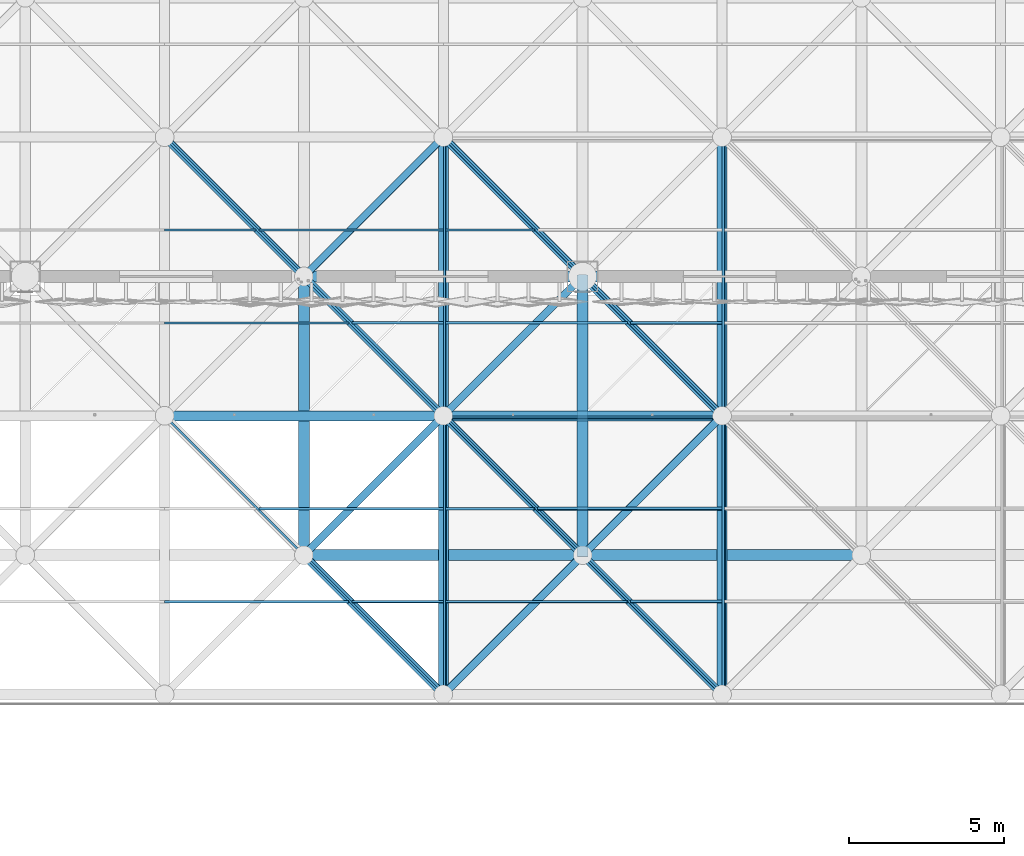
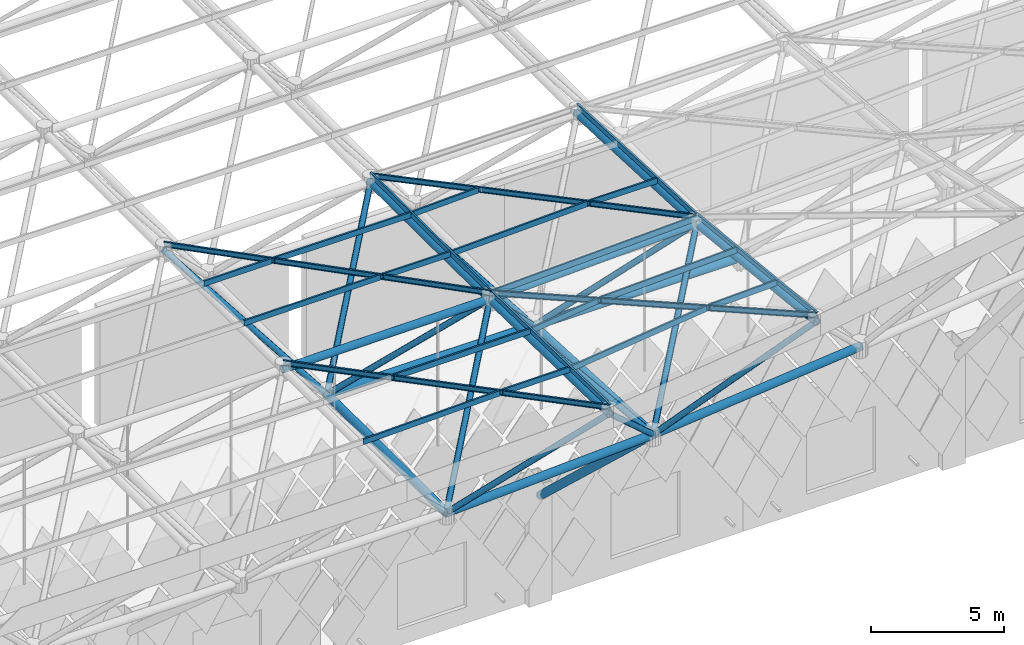
# One storey, part 86 of 437: 48 members.
"""IFC4 building model written with IfcOpenShell, lengths in metres."""

from ifc_helpers import new_model, si_unit, direction, frame, origin, origin_2d, place, context, subcontext, project, spatial, polyline, hollow_circle, outline, extrude, material, material_profile, profile_set, type_object, element, save


model = new_model("IFC4")

# Units and contexts
model_context = context("Model", 3, precision=1e-05, world=origin(), true_north=direction((0.0, 1.0)))
body_context = subcontext(model_context, "Body", "Model", "MODEL_VIEW")
ifc_project = project(units=[si_unit("LENGTHUNIT", "METRE"), si_unit("AREAUNIT", "SQUARE_METRE"), si_unit("VOLUMEUNIT", "CUBIC_METRE"), si_unit("PLANEANGLEUNIT", "RADIAN"), si_unit("MASSUNIT", "GRAM", prefix="KILO")], contexts=[model_context])

# Site, building, storey
site_placement = place(None, origin())
site = spatial("IfcSite", under=ifc_project, at=site_placement, CompositionType="ELEMENT")
building_placement = place(site_placement, origin())
building = spatial("IfcBuilding", under=site, at=building_placement, Name="Opaline Strait Convention Centre", CompositionType="ELEMENT")
storey_placement = place(building_placement, frame((0.0, 0.0, 11.5)))
storey = spatial("IfcBuildingStorey", under=building, at=storey_placement, Name="L02", CompositionType="ELEMENT", Elevation=11.5)

# Members
ifc_material = material(Name="Steel Q355B", Category="steel")
ifc_material_profile_1 = material_profile(ifc_material, hollow_circle(Radius=0.175537109375, WallThickness=0.01611328125, at=origin_2d()), Name="CHS 351x16")
ifc_profile_set_1 = profile_set([ifc_material_profile_1], Name="Steel Q355B")
member_type_1 = type_object("IfcMemberType", Name="Raking prop CHS 351x16", PredefinedType="BRACE", material=ifc_profile_set_1)
member_1_placement = place(storey_placement, frame((225.0, 53.48388671875, 5.014892578125), z_axis=(0.0, -0.72992125999, 0.683531238653), x_axis=(1.0, 0.0, 0.0)))
element("IfcMember", 1, at=member_1_placement, inside=storey, type_object=member_type_1, Name="Raking prop 225/54 S", PredefinedType="BRACE", context=body_context, shape_type="SweptSolid", body=[
    extrude(hollow_circle(Radius=0.175537109375, WallThickness=0.01611328125, at=origin_2d()), origin(), (0.0, 0.0, 1.0), 11.6728515625),
])
ifc_material_profile_2 = material_profile(ifc_material, outline(polyline([(-0.03759765625, -0.125), (0.03759765625, -0.125), (0.03759765625, -0.10498046875), (0.034912109375, -0.10498046875), (0.034912109375, -0.12255859375), (-0.034912109375, -0.12255859375), (-0.034912109375, 0.12255859375), (0.034912109375, 0.12255859375), (0.034912109375, 0.10498046875), (0.03759765625, 0.10498046875), (0.03759765625, 0.125), (-0.03759765625, 0.125), (-0.03759765625, -0.125)])), Name="C 250x75x20x2.5")
ifc_profile_set_2 = profile_set([ifc_material_profile_2], Name="Steel Q355B")
member_type_2 = type_object("IfcMemberType", Name="Roof purlin C 250x75x20x2.5", PredefinedType="PURLIN", material=ifc_profile_set_2)
member_2_placement = place(storey_placement, frame((220.5, 40.5, 18.5087890625), z_axis=(-0.706967474347, 0.706967474347, -0.01984894032), x_axis=(-0.707208676567, -0.706940201705, 0.009562374229)))
element("IfcMember", 2, at=member_2_placement, inside=storey, type_object=member_type_2, Name="EXB-RF-F-14-0", PredefinedType="PURLIN", context=body_context, shape_type="SweptSolid", body=[
    extrude(outline(polyline([(-0.03759765625, -0.125), (0.03759765625, -0.125), (0.03759765625, -0.10498046875), (0.034912109375, -0.10498046875), (0.034912109375, -0.12255859375), (-0.034912109375, -0.12255859375), (-0.034912109375, 0.12255859375), (0.034912109375, 0.12255859375), (0.034912109375, 0.10498046875), (0.03759765625, 0.10498046875), (0.03759765625, 0.125), (-0.03759765625, 0.125), (-0.03759765625, -0.125)])), origin(), (0.0, 0.0, 1.0), 12.73046875),
])
member_3_placement = place(storey_placement, frame((217.550048828125, 43.5, 18.42578125), z_axis=(0.999973480305, 0.0, 0.007282766388), x_axis=(0.000151476691, 0.999783670452, -0.020798782467)))
element("IfcMember", 3, at=member_3_placement, inside=storey, type_object=member_type_2, Name="EXB-RF-P-14-0-0a", PredefinedType="PURLIN", context=body_context, shape_type="SweptSolid", body=[
    extrude(outline(polyline([(-0.03759765625, -0.125), (0.03759765625, -0.125), (0.03759765625, -0.10498046875), (0.034912109375, -0.10498046875), (0.034912109375, -0.12255859375), (-0.034912109375, -0.12255859375), (-0.034912109375, 0.12255859375), (0.034912109375, 0.12255859375), (0.034912109375, 0.10498046875), (0.03759765625, 0.10498046875), (0.03759765625, 0.125), (-0.03759765625, 0.125), (-0.03759765625, -0.125)])), origin(), (0.0, 0.0, 1.0), 2.949951171875),
])
member_4_placement = place(storey_placement, frame((214.550048828125, 46.5, 18.341552734375), z_axis=(0.999973328593, 0.0, 0.007303567867), x_axis=(0.000151909348, 0.999783670452, -0.020798779311)))
element("IfcMember", 4, at=member_4_placement, inside=storey, type_object=member_type_2, Name="EXB-RF-P-14-0-1a", PredefinedType="PURLIN", context=body_context, shape_type="SweptSolid", body=[
    extrude(outline(polyline([(-0.03759765625, -0.125), (0.03759765625, -0.125), (0.03759765625, -0.10498046875), (0.034912109375, -0.10498046875), (0.034912109375, -0.12255859375), (-0.034912109375, -0.12255859375), (-0.034912109375, 0.12255859375), (0.034912109375, 0.12255859375), (0.034912109375, 0.10498046875), (0.03759765625, 0.10498046875), (0.03759765625, 0.125), (-0.03759765625, 0.125), (-0.03759765625, -0.125)])), origin(), (0.0, 0.0, 1.0), 5.9501953125),
])
member_5_placement = place(storey_placement, frame((211.5, 43.5, 18.257080078125), z_axis=(0.999606378304, 0.0, 0.028055096744), x_axis=(0.0, 1.0, 0.0)))
element("IfcMember", 5, at=member_5_placement, inside=storey, type_object=member_type_2, Name="EXB-RF-P-14-0-0b", PredefinedType="PURLIN", context=body_context, shape_type="SweptSolid", body=[
    extrude(outline(polyline([(-0.03759765625, -0.125), (0.03759765625, -0.125), (0.03759765625, -0.10498046875), (0.034912109375, -0.10498046875), (0.034912109375, -0.12255859375), (-0.034912109375, -0.12255859375), (-0.034912109375, 0.12255859375), (0.034912109375, 0.12255859375), (0.034912109375, 0.10498046875), (0.03759765625, 0.10498046875), (0.03759765625, 0.125), (-0.03759765625, 0.125), (-0.03759765625, -0.125)])), origin(), (0.0, 0.0, 1.0), 5.952392578125),
])
member_6_placement = place(storey_placement, frame((229.5, 40.5, 19.59423828125), z_axis=(-0.703588662414, 0.703588662414, -0.099629253955), x_axis=(-0.709635656361, -0.703016428471, 0.046745443856)))
element("IfcMember", 6, at=member_6_placement, inside=storey, type_object=member_type_2, Name="EXB-RF-F-15-0", PredefinedType="PURLIN", context=body_context, shape_type="SweptSolid", body=[
    extrude(outline(polyline([(-0.03759765625, -0.125), (0.03759765625, -0.125), (0.03759765625, -0.10498046875), (0.034912109375, -0.10498046875), (0.034912109375, -0.12255859375), (-0.034912109375, -0.12255859375), (-0.034912109375, 0.12255859375), (0.034912109375, 0.12255859375), (0.034912109375, 0.10498046875), (0.03759765625, 0.10498046875), (0.03759765625, 0.125), (-0.03759765625, 0.125), (-0.03759765625, -0.125)])), origin(), (0.0, 0.0, 1.0), 12.79150390625),
])
member_7_placement = place(storey_placement, frame((220.449951171875, 49.447509765625, 18.326416015625), z_axis=(0.999302401392, 0.0, 0.037345824037), x_axis=(0.003868565413, 0.994620331005, -0.103515367712)))
element("IfcMember", 7, at=member_7_placement, inside=storey, type_object=member_type_2, Name="EXB-RF-E-15-0a", PredefinedType="PURLIN", context=body_context, shape_type="SweptSolid", body=[
    extrude(outline(polyline([(-0.03759765625, -0.125), (0.03759765625, -0.125), (0.03759765625, -0.10498046875), (0.034912109375, -0.10498046875), (0.034912109375, -0.12255859375), (-0.034912109375, -0.12255859375), (-0.034912109375, 0.12255859375), (0.034912109375, 0.12255859375), (0.034912109375, 0.10498046875), (0.03759765625, 0.10498046875), (0.03759765625, 0.125), (-0.03759765625, 0.125), (-0.03759765625, -0.125)])), origin(), (0.0, 0.0, 1.0), 9.1064453125),
])
member_8_placement = place(storey_placement, frame((226.550048828125, 43.5, 19.17431640625), z_axis=(0.999304142932, 0.0, 0.037299194609), x_axis=(0.003866389887, 0.994612915883, -0.10358667186)))
element("IfcMember", 8, at=member_8_placement, inside=storey, type_object=member_type_2, Name="EXB-RF-P-15-0-0a", PredefinedType="PURLIN", context=body_context, shape_type="SweptSolid", body=[
    extrude(outline(polyline([(-0.03759765625, -0.125), (0.03759765625, -0.125), (0.03759765625, -0.10498046875), (0.034912109375, -0.10498046875), (0.034912109375, -0.12255859375), (-0.034912109375, -0.12255859375), (-0.034912109375, 0.12255859375), (0.034912109375, 0.12255859375), (0.034912109375, 0.10498046875), (0.03759765625, 0.10498046875), (0.03759765625, 0.125), (-0.03759765625, 0.125), (-0.03759765625, -0.125)])), origin(), (0.0, 0.0, 1.0), 2.951904296875),
])
member_9_placement = place(storey_placement, frame((223.550048828125, 46.5, 18.74951171875), z_axis=(0.999302080681, 0.0, 0.037354404641), x_axis=(0.003872112893, 0.994612915883, -0.10358645809)))
element("IfcMember", 9, at=member_9_placement, inside=storey, type_object=member_type_2, Name="EXB-RF-P-15-0-1a", PredefinedType="PURLIN", context=body_context, shape_type="SweptSolid", body=[
    extrude(outline(polyline([(-0.03759765625, -0.125), (0.03759765625, -0.125), (0.03759765625, -0.10498046875), (0.034912109375, -0.10498046875), (0.034912109375, -0.12255859375), (-0.034912109375, -0.12255859375), (-0.034912109375, 0.12255859375), (0.034912109375, 0.12255859375), (0.034912109375, 0.10498046875), (0.03759765625, 0.10498046875), (0.03759765625, 0.125), (-0.03759765625, 0.125), (-0.03759765625, -0.125)])), origin(), (0.0, 0.0, 1.0), 5.9541015625),
])
member_10_placement = place(storey_placement, frame((220.554443359375, 49.550048828125, 18.328857421875), z_axis=(0.0, -0.999783359176, 0.020814291107), x_axis=(0.992786458004, 0.002495550072, 0.119870017244)))
element("IfcMember", 10, at=member_10_placement, inside=storey, type_object=member_type_2, Name="EXB-RF-E-15-0b", PredefinedType="PURLIN", context=body_context, shape_type="SweptSolid", body=[
    extrude(outline(polyline([(-0.03759765625, -0.125), (0.03759765625, -0.125), (0.03759765625, -0.10498046875), (0.034912109375, -0.10498046875), (0.034912109375, -0.12255859375), (-0.034912109375, -0.12255859375), (-0.034912109375, 0.12255859375), (0.034912109375, 0.12255859375), (0.034912109375, 0.10498046875), (0.03759765625, 0.10498046875), (0.03759765625, 0.125), (-0.03759765625, 0.125), (-0.03759765625, -0.125)])), origin(), (0.0, 0.0, 1.0), 9.10205078125),
])
member_11_placement = place(storey_placement, frame((220.5888671875, 43.5, 18.458984375), z_axis=(0.992782800113, 0.0, 0.119926276516), x_axis=(0.002494386688, 0.999783670452, -0.020649221107)))
element("IfcMember", 11, at=member_11_placement, inside=storey, type_object=member_type_2, Name="EXB-RF-P-15-0-0b", PredefinedType="PURLIN", context=body_context, shape_type="SweptSolid", body=[
    extrude(outline(polyline([(-0.03759765625, -0.125), (0.03759765625, -0.125), (0.03759765625, -0.10498046875), (0.034912109375, -0.10498046875), (0.034912109375, -0.12255859375), (-0.034912109375, -0.12255859375), (-0.034912109375, 0.12255859375), (0.034912109375, 0.12255859375), (0.034912109375, 0.10498046875), (0.03759765625, 0.10498046875), (0.03759765625, 0.125), (-0.03759765625, 0.125), (-0.03759765625, -0.125)])), origin(), (0.0, 0.0, 1.0), 5.90380859375),
])
member_12_placement = place(storey_placement, frame((220.5888671875, 46.5, 18.396484375), z_axis=(0.992779097377, 0.0, 0.119956924813), x_axis=(0.002495024152, 0.999783670452, -0.020649144093)))
element("IfcMember", 12, at=member_12_placement, inside=storey, type_object=member_type_2, Name="EXB-RF-P-15-0-1b", PredefinedType="PURLIN", context=body_context, shape_type="SweptSolid", body=[
    extrude(outline(polyline([(-0.03759765625, -0.125), (0.03759765625, -0.125), (0.03759765625, -0.10498046875), (0.034912109375, -0.10498046875), (0.034912109375, -0.12255859375), (-0.034912109375, -0.12255859375), (-0.034912109375, 0.12255859375), (0.034912109375, 0.12255859375), (0.034912109375, 0.10498046875), (0.03759765625, 0.10498046875), (0.03759765625, 0.125), (-0.03759765625, 0.125), (-0.03759765625, -0.125)])), origin(), (0.0, 0.0, 1.0), 2.8818359375),
])
member_13_placement = place(storey_placement, frame((229.56005859375, 49.550048828125, 18.665771484375), z_axis=(0.0, -0.994612105595, 0.10366657805), x_axis=(0.986051866452, 0.017254091808, 0.165541574785)))
element("IfcMember", 13, at=member_13_placement, inside=storey, type_object=member_type_2, Name="EXB-RF-E-16-0b", PredefinedType="PURLIN", context=body_context, shape_type="SweptSolid", body=[
    extrude(outline(polyline([(-0.03759765625, -0.125), (0.03759765625, -0.125), (0.03759765625, -0.10498046875), (0.034912109375, -0.10498046875), (0.034912109375, -0.12255859375), (-0.034912109375, -0.12255859375), (-0.034912109375, 0.12255859375), (0.034912109375, 0.12255859375), (0.034912109375, 0.10498046875), (0.03759765625, 0.10498046875), (0.03759765625, 0.125), (-0.03759765625, 0.125), (-0.03759765625, -0.125)])), origin(), (0.0, 0.0, 1.0), 9.1494140625),
])
member_14_placement = place(storey_placement, frame((220.5, 49.5, 18.322021484375), z_axis=(-0.7070974383, 0.7070974383, -0.005140573824), x_axis=(-0.707116123947, -0.707078731646, 0.005143394667)))
element("IfcMember", 14, at=member_14_placement, inside=storey, type_object=member_type_2, Name="EXB-RF-F-14-1", PredefinedType="PURLIN", context=body_context, shape_type="SweptSolid", body=[
    extrude(outline(polyline([(-0.03759765625, -0.125), (0.03759765625, -0.125), (0.03759765625, -0.10498046875), (0.034912109375, -0.10498046875), (0.034912109375, -0.12255859375), (-0.034912109375, -0.12255859375), (-0.034912109375, 0.12255859375), (0.034912109375, 0.12255859375), (0.034912109375, 0.10498046875), (0.03759765625, 0.10498046875), (0.03759765625, 0.125), (-0.03759765625, 0.125), (-0.03759765625, -0.125)])), origin(), (0.0, 0.0, 1.0), 12.72802734375),
])
member_15_placement = place(storey_placement, frame((217.550048828125, 52.5, 18.300537109375), z_axis=(1.0, 0.0, 0.0), x_axis=(0.0, 0.999973540706, -0.007274468163)))
element("IfcMember", 15, at=member_15_placement, inside=storey, type_object=member_type_2, Name="EXB-RF-P-14-1-0a", PredefinedType="PURLIN", context=body_context, shape_type="SweptSolid", body=[
    extrude(outline(polyline([(-0.03759765625, -0.125), (0.03759765625, -0.125), (0.03759765625, -0.10498046875), (0.034912109375, -0.10498046875), (0.034912109375, -0.12255859375), (-0.034912109375, -0.12255859375), (-0.034912109375, 0.12255859375), (0.034912109375, 0.12255859375), (0.034912109375, 0.10498046875), (0.03759765625, 0.10498046875), (0.03759765625, 0.125), (-0.03759765625, 0.125), (-0.03759765625, -0.125)])), origin(), (0.0, 0.0, 1.0), 2.949951171875),
])
member_16_placement = place(storey_placement, frame((214.550048828125, 55.5, 18.27880859375), z_axis=(1.0, 0.0, 0.0), x_axis=(0.0, 0.999973540706, -0.007274468163)))
element("IfcMember", 16, at=member_16_placement, inside=storey, type_object=member_type_2, Name="EXB-RF-P-14-1-1a", PredefinedType="PURLIN", context=body_context, shape_type="SweptSolid", body=[
    extrude(outline(polyline([(-0.03759765625, -0.125), (0.03759765625, -0.125), (0.03759765625, -0.10498046875), (0.034912109375, -0.10498046875), (0.034912109375, -0.12255859375), (-0.034912109375, -0.12255859375), (-0.034912109375, 0.12255859375), (0.034912109375, 0.12255859375), (0.034912109375, 0.10498046875), (0.03759765625, 0.10498046875), (0.03759765625, 0.125), (-0.03759765625, 0.125), (-0.03759765625, -0.125)])), origin(), (0.0, 0.0, 1.0), 5.949951171875),
])
member_17_placement = place(storey_placement, frame((211.5, 52.5, 18.257080078125), z_axis=(0.999973627418, 0.0, 0.007262538757), x_axis=(0.0, 1.0, 0.0)))
element("IfcMember", 17, at=member_17_placement, inside=storey, type_object=member_type_2, Name="EXB-RF-P-14-1-0b", PredefinedType="PURLIN", context=body_context, shape_type="SweptSolid", body=[
    extrude(outline(polyline([(-0.03759765625, -0.125), (0.03759765625, -0.125), (0.03759765625, -0.10498046875), (0.034912109375, -0.10498046875), (0.034912109375, -0.12255859375), (-0.034912109375, -0.12255859375), (-0.034912109375, 0.12255859375), (0.034912109375, 0.12255859375), (0.034912109375, 0.10498046875), (0.03759765625, 0.10498046875), (0.03759765625, 0.125), (-0.03759765625, 0.125), (-0.03759765625, -0.125)])), origin(), (0.0, 0.0, 1.0), 5.9501953125),
])
member_18_placement = place(storey_placement, frame((211.5, 55.5, 18.257080078125), z_axis=(0.999973480305, 0.0, 0.007282766388), x_axis=(0.0, 1.0, 0.0)))
element("IfcMember", 18, at=member_18_placement, inside=storey, type_object=member_type_2, Name="EXB-RF-P-14-1-1b", PredefinedType="PURLIN", context=body_context, shape_type="SweptSolid", body=[
    extrude(outline(polyline([(-0.03759765625, -0.125), (0.03759765625, -0.125), (0.03759765625, -0.10498046875), (0.034912109375, -0.10498046875), (0.034912109375, -0.12255859375), (-0.034912109375, -0.12255859375), (-0.034912109375, 0.12255859375), (0.034912109375, 0.12255859375), (0.034912109375, 0.10498046875), (0.03759765625, 0.10498046875), (0.03759765625, 0.125), (-0.03759765625, 0.125), (-0.03759765625, -0.125)])), origin(), (0.0, 0.0, 1.0), 2.949951171875),
])
member_19_placement = place(storey_placement, frame((229.5, 49.5, 18.6572265625), z_axis=(-0.706754608869, 0.706754608869, -0.031557022738), x_axis=(-0.707458778193, -0.706051128284, 0.031525884719)))
element("IfcMember", 19, at=member_19_placement, inside=storey, type_object=member_type_2, Name="EXB-RF-F-15-1", PredefinedType="PURLIN", context=body_context, shape_type="SweptSolid", body=[
    extrude(outline(polyline([(-0.03759765625, -0.125), (0.03759765625, -0.125), (0.03759765625, -0.10498046875), (0.034912109375, -0.10498046875), (0.034912109375, -0.12255859375), (-0.034912109375, -0.12255859375), (-0.034912109375, 0.12255859375), (0.034912109375, 0.12255859375), (0.034912109375, 0.10498046875), (0.03759765625, 0.10498046875), (0.03759765625, 0.125), (-0.03759765625, 0.125), (-0.03759765625, -0.125)])), origin(), (0.0, 0.0, 1.0), 12.734375),
])
member_20_placement = place(storey_placement, frame((226.550048828125, 52.5, 18.52490234375), z_axis=(1.0, 0.0, 0.0), x_axis=(0.0, 0.999004644434, -0.044606282058)))
element("IfcMember", 20, at=member_20_placement, inside=storey, type_object=member_type_2, Name="EXB-RF-P-15-1-0a", PredefinedType="PURLIN", context=body_context, shape_type="SweptSolid", body=[
    extrude(outline(polyline([(-0.03759765625, -0.125), (0.03759765625, -0.125), (0.03759765625, -0.10498046875), (0.034912109375, -0.10498046875), (0.034912109375, -0.12255859375), (-0.034912109375, -0.12255859375), (-0.034912109375, 0.12255859375), (0.034912109375, 0.12255859375), (0.034912109375, 0.10498046875), (0.03759765625, 0.10498046875), (0.03759765625, 0.125), (-0.03759765625, 0.125), (-0.03759765625, -0.125)])), origin(), (0.0, 0.0, 1.0), 2.949951171875),
])
member_21_placement = place(storey_placement, frame((220.54443359375, 58.550048828125, 18.25830078125), z_axis=(0.0, -0.999973571083, 0.007270291296), x_axis=(0.999302242213, 0.000271545984, 0.037349095988)))
element("IfcMember", 21, at=member_21_placement, inside=storey, type_object=member_type_2, Name="EXB-RF-E-15-1b", PredefinedType="PURLIN", context=body_context, shape_type="SweptSolid", body=[
    extrude(outline(polyline([(-0.03759765625, -0.125), (0.03759765625, -0.125), (0.03759765625, -0.10498046875), (0.034912109375, -0.10498046875), (0.034912109375, -0.12255859375), (-0.034912109375, -0.12255859375), (-0.034912109375, 0.12255859375), (0.034912109375, 0.12255859375), (0.034912109375, 0.10498046875), (0.03759765625, 0.10498046875), (0.03759765625, 0.125), (-0.03759765625, 0.125), (-0.03759765625, -0.125)])), origin(), (0.0, 0.0, 1.0), 9.100341796875),
])
member_22_placement = place(storey_placement, frame((220.5791015625, 52.5, 18.3037109375), z_axis=(0.999301908051, 0.0, 0.037359022553), x_axis=(0.00027176702, 0.999973540706, -0.007269389915)))
element("IfcMember", 22, at=member_22_placement, inside=storey, type_object=member_type_2, Name="EXB-RF-P-15-1-0b", PredefinedType="PURLIN", context=body_context, shape_type="SweptSolid", body=[
    extrude(outline(polyline([(-0.03759765625, -0.125), (0.03759765625, -0.125), (0.03759765625, -0.10498046875), (0.034912109375, -0.10498046875), (0.034912109375, -0.12255859375), (-0.034912109375, -0.12255859375), (-0.034912109375, 0.12255859375), (0.034912109375, 0.12255859375), (0.034912109375, 0.10498046875), (0.03759765625, 0.10498046875), (0.03759765625, 0.125), (-0.03759765625, 0.125), (-0.03759765625, -0.125)])), origin(), (0.0, 0.0, 1.0), 5.875),
])
member_23_placement = place(storey_placement, frame((220.5791015625, 55.5, 18.281982421875), z_axis=(0.999303847196, 0.0, 0.03730711701), x_axis=(0.000271389435, 0.999973540706, -0.007269404021)))
element("IfcMember", 23, at=member_23_placement, inside=storey, type_object=member_type_2, Name="EXB-RF-P-15-1-1b", PredefinedType="PURLIN", context=body_context, shape_type="SweptSolid", body=[
    extrude(outline(polyline([(-0.03759765625, -0.125), (0.03759765625, -0.125), (0.03759765625, -0.10498046875), (0.034912109375, -0.10498046875), (0.034912109375, -0.12255859375), (-0.034912109375, -0.12255859375), (-0.034912109375, 0.12255859375), (0.034912109375, 0.12255859375), (0.034912109375, 0.10498046875), (0.03759765625, 0.10498046875), (0.03759765625, 0.125), (-0.03759765625, 0.125), (-0.03759765625, -0.125)])), origin(), (0.0, 0.0, 1.0), 2.872802734375),
])
member_24_placement = place(storey_placement, frame((229.54638671875, 58.550048828125, 18.257568359375), z_axis=(0.0, -0.999005016003, 0.044597959613), x_axis=(0.998536953469, 0.002411571545, 0.054019782307)))
element("IfcMember", 24, at=member_24_placement, inside=storey, type_object=member_type_2, Name="EXB-RF-E-16-1b", PredefinedType="PURLIN", context=body_context, shape_type="SweptSolid", body=[
    extrude(outline(polyline([(-0.03759765625, -0.125), (0.03759765625, -0.125), (0.03759765625, -0.10498046875), (0.034912109375, -0.10498046875), (0.034912109375, -0.12255859375), (-0.034912109375, -0.12255859375), (-0.034912109375, 0.12255859375), (0.034912109375, 0.12255859375), (0.034912109375, 0.10498046875), (0.03759765625, 0.10498046875), (0.03759765625, 0.125), (-0.03759765625, 0.125), (-0.03759765625, -0.125)])), origin(), (0.0, 0.0, 1.0), 9.109130859375),
])
ifc_material_profile_3 = material_profile(ifc_material, hollow_circle(Radius=0.175537109375, WallThickness=0.01611328125, at=origin_2d()), Name="CHS 351x16")
ifc_profile_set_3 = profile_set([ifc_material_profile_3], Name="Steel Q355B")
member_type_3 = type_object("IfcMemberType", Name="Space frame bottom chord CHS 351x16", PredefinedType="CHORD", material=ifc_profile_set_3)
member_25_placement = place(storey_placement, frame((215.949951171875, 45.0, 12.50634765625), z_axis=(0.998749263269, 0.0, 0.049999091197), x_axis=(0.0, 1.0, 0.0)))
element("IfcMember", 25, at=member_25_placement, inside=storey, type_object=member_type_3, Name="EXB-RF-BX-14-0", PredefinedType="CHORD", context=body_context, shape_type="SweptSolid", body=[
    extrude(hollow_circle(Radius=0.175537109375, WallThickness=0.01611328125, at=origin_2d()), origin(), (0.0, 0.0, 1.0), 9.111572265625),
])
member_26_placement = place(storey_placement, frame((224.9501953125, 45.0, 12.954345703125), z_axis=(0.99509044308, 0.0, 0.098969743306), x_axis=(0.0, 1.0, 0.0)))
element("IfcMember", 26, at=member_26_placement, inside=storey, type_object=member_type_3, Name="EXB-RF-BX-15-0", PredefinedType="CHORD", context=body_context, shape_type="SweptSolid", body=[
    extrude(hollow_circle(Radius=0.175537109375, WallThickness=0.01611328125, at=origin_2d()), origin(), (0.0, 0.0, 1.0), 9.14453125),
])
for number, where, z_axis, x_axis, name in (
    (27, (215.949951171875, 54.0, 12.5), (1.0, 0.0, 0.0), (0.0, 1.0, 0.0), "EXB-RF-BX-14-1"),
    (28, (224.949951171875, 54.0, 12.5), (1.0, 0.0, 0.0), (0.0, 1.0, 0.0), "EXB-RF-BX-15-1"),
    (29, (216.0, 44.949951171875, 12.509033203125), (0.0, 0.999999507324, -0.000992648542), (-1.0, 0.0, 0.0), "EXB-RF-BY-14-0"),
):
    element("IfcMember", number, at=place(storey_placement, frame(where, z_axis=z_axis, x_axis=x_axis)), inside=storey, type_object=member_type_3, Name=name, PredefinedType="CHORD", context=body_context, shape_type="SweptSolid", body=[
        extrude(hollow_circle(Radius=0.175537109375, WallThickness=0.01611328125, at=origin_2d()), origin(), (0.0, 0.0, 1.0), 9.10009765625),
    ])
member_27_placement = place(storey_placement, frame((225.0, 44.949951171875, 12.9619140625), z_axis=(0.0, 0.998700632728, -0.050961222392), x_axis=(-1.0, 0.0, 0.0)))
element("IfcMember", 30, at=member_27_placement, inside=storey, type_object=member_type_3, Name="EXB-RF-BY-15-0", PredefinedType="CHORD", context=body_context, shape_type="SweptSolid", body=[
    extrude(hollow_circle(Radius=0.175537109375, WallThickness=0.01611328125, at=origin_2d()), origin(), (0.0, 0.0, 1.0), 9.11181640625),
])
ifc_material_profile_4 = material_profile(ifc_material, hollow_circle(Radius=0.16259765625, WallThickness=0.02001953125, at=origin_2d()), Name="CHS 325x20")
ifc_profile_set_4 = profile_set([ifc_material_profile_4], Name="Steel Q355B")
member_type_4 = type_object("IfcMemberType", Name="Space frame top chord CHS 325x20", PredefinedType="CHORD", material=ifc_profile_set_4)
member_28_placement = place(storey_placement, frame((211.449951171875, 49.5, 17.97119140625), z_axis=(0.999973571083, 0.0, 0.007270291296), x_axis=(0.0, 1.0, 0.0)))
element("IfcMember", 31, at=member_28_placement, inside=storey, type_object=member_type_4, Name="EXB-RF-TX-14-1", PredefinedType="CHORD", context=body_context, shape_type="SweptSolid", body=[
    extrude(hollow_circle(Radius=0.16259765625, WallThickness=0.02001953125, at=origin_2d()), origin(), (0.0, 0.0, 1.0), 9.100341796875),
])
member_29_placement = place(storey_placement, frame((220.449951171875, 49.5, 18.03515625), z_axis=(0.999302401392, 0.0, 0.037345824037), x_axis=(0.0, 1.0, 0.0)))
element("IfcMember", 32, at=member_29_placement, inside=storey, type_object=member_type_4, Name="EXB-RF-TX-15-1", PredefinedType="CHORD", context=body_context, shape_type="SweptSolid", body=[
    extrude(hollow_circle(Radius=0.16259765625, WallThickness=0.02001953125, at=origin_2d()), origin(), (0.0, 0.0, 1.0), 9.1064453125),
])
member_30_placement = place(storey_placement, frame((220.5, 40.449951171875, 18.225341796875), z_axis=(0.0, 0.999783359176, -0.020814291107), x_axis=(-1.0, 0.0, 0.0)))
element("IfcMember", 33, at=member_30_placement, inside=storey, type_object=member_type_4, Name="EXB-RF-TY-15-0", PredefinedType="CHORD", context=body_context, shape_type="SweptSolid", body=[
    extrude(hollow_circle(Radius=0.16259765625, WallThickness=0.02001953125, at=origin_2d()), origin(), (0.0, 0.0, 1.0), 9.10205078125),
])
member_31_placement = place(storey_placement, frame((220.5, 49.449951171875, 18.037353515625), z_axis=(0.0, 0.999973571083, -0.007270291296), x_axis=(-1.0, 0.0, 0.0)))
element("IfcMember", 34, at=member_31_placement, inside=storey, type_object=member_type_4, Name="EXB-RF-TY-15-1", PredefinedType="CHORD", context=body_context, shape_type="SweptSolid", body=[
    extrude(hollow_circle(Radius=0.16259765625, WallThickness=0.02001953125, at=origin_2d()), origin(), (0.0, 0.0, 1.0), 9.100341796875),
])
member_32_placement = place(storey_placement, frame((229.5, 40.4501953125, 19.31640625), z_axis=(0.0, 0.994614283282, -0.10364568245), x_axis=(-1.0, 0.0, 0.0)))
element("IfcMember", 35, at=member_32_placement, inside=storey, type_object=member_type_4, Name="EXB-RF-TY-16-0", PredefinedType="CHORD", context=body_context, shape_type="SweptSolid", body=[
    extrude(hollow_circle(Radius=0.16259765625, WallThickness=0.02001953125, at=origin_2d()), origin(), (0.0, 0.0, 1.0), 9.14892578125),
])
member_33_placement = place(storey_placement, frame((229.5, 49.449951171875, 18.37548828125), z_axis=(0.0, 0.999005016003, -0.044597959613), x_axis=(-1.0, 0.0, 0.0)))
element("IfcMember", 36, at=member_33_placement, inside=storey, type_object=member_type_4, Name="EXB-RF-TY-16-1", PredefinedType="CHORD", context=body_context, shape_type="SweptSolid", body=[
    extrude(hollow_circle(Radius=0.16259765625, WallThickness=0.02001953125, at=origin_2d()), origin(), (0.0, 0.0, 1.0), 9.109130859375),
])
ifc_material_profile_5 = material_profile(ifc_material, hollow_circle(Radius=0.12255859375, WallThickness=0.011962890625, at=origin_2d()), Name="CHS 245x12")
ifc_profile_set_5 = profile_set([ifc_material_profile_5], Name="Steel Q355B")
member_type_5 = type_object("IfcMemberType", Name="Space frame web CHS 245x12", PredefinedType="BRACE", material=ifc_profile_set_5)
member_34_placement = place(storey_placement, frame((220.5263671875, 40.4736328125, 18.257568359375), z_axis=(-0.526104118991, 0.526104118991, -0.668153359613), x_axis=(-0.707106781187, -0.707106781187, 0.0)))
element("IfcMember", 37, at=member_34_placement, inside=storey, type_object=member_type_5, Name="EXB-RF-W-14-0-10", PredefinedType="BRACE", context=body_context, shape_type="SweptSolid", body=[
    extrude(hollow_circle(Radius=0.12255859375, WallThickness=0.011962890625, at=origin_2d()), origin(), (0.0, 0.0, 1.0), 8.653564453125),
])
member_35_placement = place(storey_placement, frame((220.526611328125, 49.526611328125, 18.06982421875), z_axis=(-0.533815659116, -0.533815659116, -0.655806133065), x_axis=(0.707106781187, -0.707106781187, 0.0)))
element("IfcMember", 38, at=member_35_placement, inside=storey, type_object=member_type_5, Name="EXB-RF-W-14-0-11", PredefinedType="BRACE", context=body_context, shape_type="SweptSolid", body=[
    extrude(hollow_circle(Radius=0.12255859375, WallThickness=0.011962890625, at=origin_2d()), origin(), (0.0, 0.0, 1.0), 8.529541015625),
])
member_36_placement = place(storey_placement, frame((211.47314453125, 58.52685546875, 18.004150390625), z_axis=(0.536178220346, -0.536178220346, -0.6519400525), x_axis=(0.707106781187, 0.707106781187, 0.0)))
element("IfcMember", 39, at=member_36_placement, inside=storey, type_object=member_type_5, Name="EXB-RF-W-14-1-01", PredefinedType="BRACE", context=body_context, shape_type="SweptSolid", body=[
    extrude(hollow_circle(Radius=0.12255859375, WallThickness=0.011962890625, at=origin_2d()), origin(), (0.0, 0.0, 1.0), 8.492919921875),
])
member_37_placement = place(storey_placement, frame((220.526611328125, 49.473388671875, 18.06982421875), z_axis=(-0.533455011951, 0.533455011951, -0.65639279433), x_axis=(-0.707106781187, -0.707106781187, 0.0)))
element("IfcMember", 40, at=member_37_placement, inside=storey, type_object=member_type_5, Name="EXB-RF-W-14-1-10", PredefinedType="BRACE", context=body_context, shape_type="SweptSolid", body=[
    extrude(hollow_circle(Radius=0.12255859375, WallThickness=0.011962890625, at=origin_2d()), origin(), (0.0, 0.0, 1.0), 8.535400390625),
])
member_38_placement = place(storey_placement, frame((220.52685546875, 58.52685546875, 18.004150390625), z_axis=(-0.536178220346, -0.536178220346, -0.6519400525), x_axis=(0.707106781187, -0.707106781187, 0.0)))
element("IfcMember", 41, at=member_38_placement, inside=storey, type_object=member_type_5, Name="EXB-RF-W-14-1-11", PredefinedType="BRACE", context=body_context, shape_type="SweptSolid", body=[
    extrude(hollow_circle(Radius=0.12255859375, WallThickness=0.011962890625, at=origin_2d()), origin(), (0.0, 0.0, 1.0), 8.492919921875),
])
member_39_placement = place(storey_placement, frame((220.47265625, 40.47265625, 18.256103515625), z_axis=(0.544839052131, 0.544839052131, -0.637417300162), x_axis=(-0.707106781187, 0.707106781187, 0.0)))
element("IfcMember", 42, at=member_39_placement, inside=storey, type_object=member_type_5, Name="EXB-RF-W-15-0-00", PredefinedType="BRACE", context=body_context, shape_type="SweptSolid", body=[
    extrude(hollow_circle(Radius=0.12255859375, WallThickness=0.011962890625, at=origin_2d()), origin(), (0.0, 0.0, 1.0), 8.359619140625),
])
member_40_placement = place(storey_placement, frame((220.472412109375, 49.527587890625, 18.068115234375), z_axis=(0.552730589909, -0.552730589909, -0.623680839819), x_axis=(0.707106781187, 0.707106781187, 0.0)))
element("IfcMember", 43, at=member_40_placement, inside=storey, type_object=member_type_5, Name="EXB-RF-W-15-0-01", PredefinedType="BRACE", context=body_context, shape_type="SweptSolid", body=[
    extrude(hollow_circle(Radius=0.12255859375, WallThickness=0.011962890625, at=origin_2d()), origin(), (0.0, 0.0, 1.0), 8.2412109375),
])
member_41_placement = place(storey_placement, frame((229.52490234375, 40.47509765625, 19.3466796875), z_axis=(-0.500458219713, 0.500458219713, -0.706458166237), x_axis=(-0.707106781187, -0.707106781187, 0.0)))
element("IfcMember", 44, at=member_41_placement, inside=storey, type_object=member_type_5, Name="EXB-RF-W-15-0-10", PredefinedType="BRACE", context=body_context, shape_type="SweptSolid", body=[
    extrude(hollow_circle(Radius=0.12255859375, WallThickness=0.011962890625, at=origin_2d()), origin(), (0.0, 0.0, 1.0), 9.09130859375),
])
member_42_placement = place(storey_placement, frame((229.52685546875, 49.52685546875, 18.40576171875), z_axis=(-0.538573162213, -0.538573162213, -0.647979859169), x_axis=(0.707106781187, -0.707106781187, 0.0)))
element("IfcMember", 45, at=member_42_placement, inside=storey, type_object=member_type_5, Name="EXB-RF-W-15-0-11", PredefinedType="BRACE", context=body_context, shape_type="SweptSolid", body=[
    extrude(hollow_circle(Radius=0.12255859375, WallThickness=0.011962890625, at=origin_2d()), origin(), (0.0, 0.0, 1.0), 8.455078125),
])
member_43_placement = place(storey_placement, frame((220.473388671875, 49.473388671875, 18.06982421875), z_axis=(0.533455011951, 0.533455011951, -0.65639279433), x_axis=(-0.707106781187, 0.707106781187, 0.0)))
element("IfcMember", 46, at=member_43_placement, inside=storey, type_object=member_type_5, Name="EXB-RF-W-15-1-00", PredefinedType="BRACE", context=body_context, shape_type="SweptSolid", body=[
    extrude(hollow_circle(Radius=0.12255859375, WallThickness=0.011962890625, at=origin_2d()), origin(), (0.0, 0.0, 1.0), 8.535400390625),
])
member_44_placement = place(storey_placement, frame((220.47314453125, 58.52685546875, 18.004150390625), z_axis=(0.536178220346, -0.536178220346, -0.6519400525), x_axis=(0.707106781187, 0.707106781187, 0.0)))
element("IfcMember", 47, at=member_44_placement, inside=storey, type_object=member_type_5, Name="EXB-RF-W-15-1-01", PredefinedType="BRACE", context=body_context, shape_type="SweptSolid", body=[
    extrude(hollow_circle(Radius=0.12255859375, WallThickness=0.011962890625, at=origin_2d()), origin(), (0.0, 0.0, 1.0), 8.492919921875),
])
member_45_placement = place(storey_placement, frame((229.52587890625, 49.47412109375, 18.4072265625), z_axis=(-0.519617871627, 0.519617871627, -0.678228969429), x_axis=(-0.707106781187, -0.707106781187, 0.0)))
element("IfcMember", 48, at=member_45_placement, inside=storey, type_object=member_type_5, Name="EXB-RF-W-15-1-10", PredefinedType="BRACE", context=body_context, shape_type="SweptSolid", body=[
    extrude(hollow_circle(Radius=0.12255859375, WallThickness=0.011962890625, at=origin_2d()), origin(), (0.0, 0.0, 1.0), 8.759765625),
])

save(model, "model.ifc")
